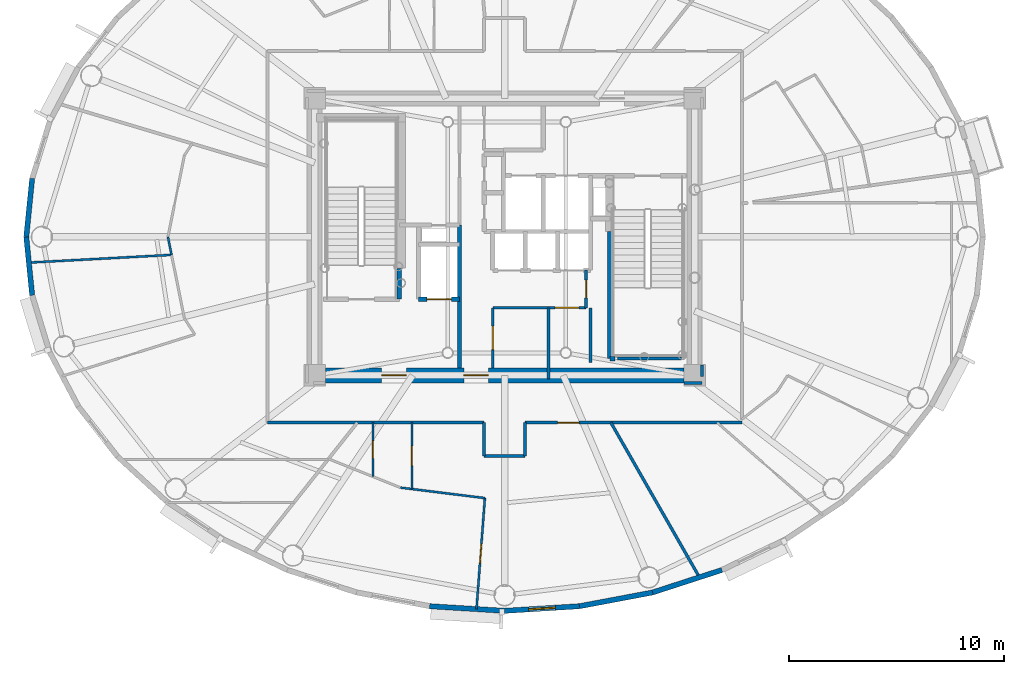
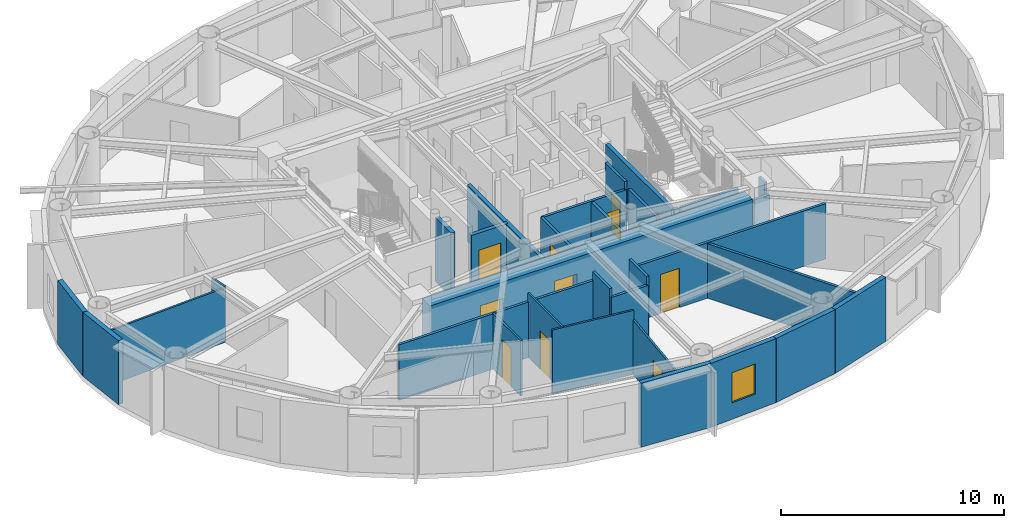
# One storey, part 6 of 17: 32 walls, 10 doors, 1 window, 11 openings.
"""IFC4 building model written with IfcOpenShell, lengths in metres."""

from ifc_helpers import new_model, si_unit, direction, frame, frame_2d, origin, origin_2d, place, context, subcontext, project, spatial, rectangle, extrude, source, transform, mapped, material, layer, layer_set, type_object, element, fill, save


model = new_model("IFC4")

# Units and contexts
model_context = context("Model", 3, precision=1e-05, world=origin(), true_north=direction((0.0, 1.0)))
body_context = subcontext(model_context, "Body", "Model", "MODEL_VIEW")
ifc_project = project(units=[si_unit("LENGTHUNIT", "METRE"), si_unit("AREAUNIT", "SQUARE_METRE"), si_unit("VOLUMEUNIT", "CUBIC_METRE"), si_unit("PLANEANGLEUNIT", "RADIAN"), si_unit("MASSUNIT", "GRAM", prefix="KILO")], contexts=[model_context])

# Site, building, storey
site_placement = place(None, origin())
site = spatial("IfcSite", under=ifc_project, at=site_placement, CompositionType="ELEMENT")
building_placement = place(site_placement, origin())
building = spatial("IfcBuilding", under=site, at=building_placement, Name="Linh Dai School and Residence Tower", CompositionType="ELEMENT")
storey_placement = place(building_placement, frame((0.0, 0.0, 280.5)))
storey = spatial("IfcBuildingStorey", under=building, at=storey_placement, Name="L69", CompositionType="ELEMENT", Elevation=280.5)

# Walls
ifc_material_1 = material(Name="Precast Concrete B45 (C35/45)", Category="concrete")
ifc_layer_1 = layer(ifc_material_1, 0.239990234375)
ifc_layer_set_1 = layer_set([ifc_layer_1], Name="Precast Concrete B45 (C35/45)")
wall_type_1 = type_object("IfcWallType", Name="EW-TC-240", PredefinedType="SOLIDWALL", material=ifc_layer_set_1)
for number, where, z_axis, x_axis, name in (
    (1, (13.72509765625, 27.0, 0.0), (0.0, 0.0, 1.0), (0.099972526841, 0.99499019788, 0.0), "L69 Terracotta Exterior Wall 20"),
    (2, (13.998291015625, 24.281005859375, 0.0), (0.0, 0.0, 1.0), (-0.099972526841, 0.99499019788, 0.0), "L69 Terracotta Exterior Wall 21"),
):
    element("IfcWall", number, at=place(storey_placement, frame(where, z_axis=z_axis, x_axis=x_axis)), inside=storey, type_object=wall_type_1, Name=name, PredefinedType="SOLIDWALL", context=body_context, shape_type="SweptSolid", body=[
        extrude(rectangle(XDim=2.732666015625, YDim=0.239990234375, at=frame_2d((1.3662109375, 0.0))), origin(), (0.0, 0.0, 1.0), 3.5),
    ])
wall_1_placement = place(storey_placement, frame((36.0, 9.5849609375, 0.0), z_axis=(0.0, 0.0, 1.0), x_axis=(-0.998104946479, 0.061534671648, 0.0)))
element("IfcWall", 3, at=wall_1_placement, inside=storey, type_object=wall_type_1, Name="L69 Terracotta Exterior Wall 30", PredefinedType="SOLIDWALL", context=body_context, shape_type="SweptSolid", body=[
    extrude(rectangle(XDim=3.495361328125, YDim=0.239990234375, at=frame_2d((1.74755859375, 0.0))), origin(), (0.0, 0.0, 1.0), 3.5),
])

# Wall, opening, window
wall_2_placement = place(storey_placement, frame((39.48876953125, 9.800048828125, 0.0), z_axis=(0.0, 0.0, 1.0), x_axis=(-0.998104946479, -0.061534671648, 0.0)))
wall_2 = element("IfcWall", 4, at=wall_2_placement, inside=storey, type_object=wall_type_1, Name="L69 Terracotta Exterior Wall 31", PredefinedType="SOLIDWALL", context=body_context, shape_type="SweptSolid", body=[
    extrude(rectangle(XDim=3.495361328125, YDim=0.239990234375, at=frame_2d((1.74755859375, 0.0))), origin(), (0.0, 0.0, 1.0), 3.5),
])
opening_1_placement = place(wall_2_placement, frame((1.122802734375, 0.0, 0.89990234375)))
opening_1 = element("IfcOpeningElement", 5, at=opening_1_placement, cuts=wall_2, Name="Opening W3", PredefinedType="OPENING", context=body_context, shape_type="SweptSolid", body=[
    extrude(rectangle(XDim=1.25, YDim=1.64990234375, at=origin_2d()), frame((0.625, 0.1298828125, 0.824951171875), z_axis=(0.0, -1.0, 0.0), x_axis=(1.0, 0.0, 0.0)), (0.0, 0.0, 1.0), 0.260009765625),
])
ifc_material_2 = material(Name="Double Low-E Insulated Glazing", Category="glass")
window_type = type_object("IfcWindowType", Name="WN-RES-1250x1650", PartitioningType="SINGLE_PANEL", PredefinedType="WINDOW", material=ifc_material_2)
shared_shape_1 = source(origin(), body_context, "Body", "SweptSolid", [
    extrude(rectangle(XDim=1.25, YDim=1.64990234375, at=origin_2d()), frame((0.625, 0.030029296875, 0.824951171875), z_axis=(0.0, -1.0, 0.0), x_axis=(1.0, 0.0, 0.0)), (0.0, 0.0, 1.0), 0.06005859375),
])
window_placement = place(opening_1_placement, origin())
window = element("IfcWindow", 6, at=window_placement, inside=storey, type_object=window_type, Name="L69 Dwelling Window U6905-LIV", OverallHeight=1.64990234375, OverallWidth=1.25, PartitioningType="SINGLE_PANEL", PredefinedType="WINDOW", context=body_context, shape_type="MappedRepresentation", body=[
    mapped(shared_shape_1, transform((0.0, 0.0, 0.0), x_axis=(1.0, 0.0, 0.0), y_axis=(0.0, 1.0, 0.0), z_axis=(0.0, 0.0, 1.0), scale=1.0)),
])
fill(opening_1, window)

# Walls
wall_3_placement = place(storey_placement, frame((42.89111328125, 10.439697265625, 0.0), z_axis=(0.0, 0.0, 1.0), x_axis=(-0.982782655757, -0.184765395959, 0.0)))
element("IfcWall", 7, at=wall_3_placement, inside=storey, type_object=wall_type_1, Name="L69 Terracotta Exterior Wall 32", PredefinedType="SOLIDWALL", context=body_context, shape_type="SweptSolid", body=[
    extrude(rectangle(XDim=3.4619140625, YDim=0.239990234375, at=frame_2d((1.73095703125, 0.0))), origin(), (0.0, 0.0, 1.0), 3.5),
])
wall_4_placement = place(storey_placement, frame((46.123046875, 11.48779296875, 0.0), z_axis=(0.0, 0.0, 1.0), x_axis=(-0.95123136723, -0.308478339592, 0.0)))
element("IfcWall", 8, at=wall_4_placement, inside=storey, type_object=wall_type_1, Name="L69 Terracotta Exterior Wall 33", PredefinedType="SOLIDWALL", context=body_context, shape_type="SweptSolid", body=[
    extrude(rectangle(XDim=3.397705078125, YDim=0.239990234375, at=frame_2d((1.69873046875, 0.0))), origin(), (0.0, 0.0, 1.0), 3.5),
])
ifc_material_3 = material(Name="Autoclaved Aerated Concrete Blockwork", Category="masonry")
ifc_layer_2 = layer(ifc_material_3, 0.135009765625)
ifc_layer_set_2 = layer_set([ifc_layer_2], Name="Autoclaved Aerated Concrete Blockwork")
wall_type_2 = type_object("IfcWallType", Name="IW-CORR-135-EI90", PredefinedType="PARTITIONING", material=ifc_layer_set_2)
wall_5_placement = place(storey_placement, frame((24.949951171875, 18.35009765625, 0.0), z_axis=(0.0, 0.0, 1.0), x_axis=(1.0, 0.0, 0.0)))
element("IfcWall", 9, at=wall_5_placement, inside=storey, type_object=wall_type_2, Name="L69 Interior Partition Wall 014", PredefinedType="PARTITIONING", context=body_context, shape_type="SweptSolid", body=[
    extrude(rectangle(XDim=10.10009765625, YDim=0.135009765625, at=frame_2d((5.050048828125, 0.0))), origin(), (0.0, 0.0, 1.0), 3.034912109375),
])
wall_6_placement = place(storey_placement, frame((35.050048828125, 16.800048828125, 0.0), z_axis=(0.0, 0.0, 1.0), x_axis=(0.0, 1.0, 0.0)))
element("IfcWall", 10, at=wall_6_placement, inside=storey, type_object=wall_type_2, Name="L69 Interior Partition Wall 035", PredefinedType="PARTITIONING", context=body_context, shape_type="SweptSolid", body=[
    extrude(rectangle(XDim=1.550048828125, YDim=0.135009765625, at=frame_2d((0.77490234375, 0.0))), origin(), (0.0, 0.0, 1.0), 3.5),
])
wall_7_placement = place(storey_placement, frame((35.050048828125, 16.800048828125, 0.0), z_axis=(0.0, 0.0, 1.0), x_axis=(1.0, 0.0, 0.0)))
element("IfcWall", 11, at=wall_7_placement, inside=storey, type_object=wall_type_2, Name="L69 Interior Partition Wall 036", PredefinedType="PARTITIONING", context=body_context, shape_type="SweptSolid", body=[
    extrude(rectangle(XDim=1.89990234375, YDim=0.135009765625, at=frame_2d((0.949951171875, 0.0))), origin(), (0.0, 0.0, 1.0), 3.034912109375),
])

# Wall, opening, door
wall_8_placement = place(storey_placement, frame((35.449951171875, 20.89990234375, 0.0), z_axis=(0.0, 0.0, 1.0), x_axis=(0.0, 1.0, 0.0)))
wall_8 = element("IfcWall", 12, at=wall_8_placement, inside=storey, type_object=wall_type_2, Name="L69 Interior Partition Wall 045", PredefinedType="PARTITIONING", context=body_context, shape_type="SweptSolid", body=[
    extrude(rectangle(XDim=2.800048828125, YDim=0.135009765625, at=frame_2d((1.39990234375, 0.0))), origin(), (0.0, 0.0, 1.0), 3.0849609375),
])
opening_2_placement = place(wall_8_placement, frame((0.85009765625, 0.0, 0.0)))
opening_2 = element("IfcOpeningElement", 13, at=opening_2_placement, cuts=wall_8, Name="Opening D07", PredefinedType="OPENING", context=body_context, shape_type="SweptSolid", body=[
    extrude(rectangle(XDim=1.10009765625, YDim=2.14990234375, at=origin_2d()), frame((0.550048828125, 0.07763671875, 1.074951171875), z_axis=(0.0, -1.0, 0.0), x_axis=(1.0, 0.0, 0.0)), (0.0, 0.0, 1.0), 0.155029296875),
])
ifc_material_4 = material(Name="Fire-Rated Louvred Steel Plant Door", Category="steel")
door_type_1 = type_object("IfcDoorType", Name="DR-PLT-1100x2150-FD60S", OperationType="NOTDEFINED", PredefinedType="DOOR", material=ifc_material_4)
shared_shape_2 = source(origin(), body_context, "Body", "SweptSolid", [
    extrude(rectangle(XDim=1.10009765625, YDim=2.14990234375, at=origin_2d()), frame((0.550048828125, 0.02490234375, 1.074951171875), z_axis=(0.0, -1.0, 0.0), x_axis=(1.0, 0.0, 0.0)), (0.0, 0.0, 1.0), 0.050048828125),
])
door_1_placement = place(opening_2_placement, origin())
door_1 = element("IfcDoor", 14, at=door_1_placement, inside=storey, type_object=door_type_1, Name="L69 Floor Electrical Switchroom Door", OperationType="SINGLE_SWING_LEFT", OverallHeight=2.14990234375, OverallWidth=1.10009765625, PredefinedType="DOOR", context=body_context, shape_type="MappedRepresentation", body=[
    mapped(shared_shape_2, transform((0.0, 0.0, 0.0), x_axis=(1.0, 0.0, 0.0), y_axis=(0.0, 1.0, 0.0), z_axis=(0.0, 0.0, 1.0), scale=1.0)),
])
fill(opening_2, door_1)

wall_9_placement = place(storey_placement, frame((35.449951171875, 23.699951171875, 0.0), z_axis=(0.0, 0.0, 1.0), x_axis=(1.0, 0.0, 0.0)))
wall_9 = element("IfcWall", 15, at=wall_9_placement, inside=storey, type_object=wall_type_2, Name="L69 Interior Partition Wall 046", PredefinedType="PARTITIONING", context=body_context, shape_type="SweptSolid", body=[
    extrude(rectangle(XDim=4.35009765625, YDim=0.135009765625, at=frame_2d((2.175048828125, 0.0))), origin(), (0.0, 0.0, 1.0), 3.0849609375),
])
opening_3_placement = place(wall_9_placement, frame((2.905029296875, 0.0, 0.0)))
opening_3 = element("IfcOpeningElement", 16, at=opening_3_placement, cuts=wall_9, Name="Opening D07", PredefinedType="OPENING", context=body_context, shape_type="SweptSolid", body=[
    extrude(rectangle(XDim=1.10009765625, YDim=2.14990234375, at=origin_2d()), frame((0.550048828125, 0.07763671875, 1.074951171875), z_axis=(0.0, -1.0, 0.0), x_axis=(1.0, 0.0, 0.0)), (0.0, 0.0, 1.0), 0.155029296875),
])
door_2_placement = place(opening_3_placement, origin())
door_2 = element("IfcDoor", 17, at=door_2_placement, inside=storey, type_object=door_type_1, Name="L69 Telecom Node Room Door", OperationType="SINGLE_SWING_RIGHT", OverallHeight=2.14990234375, OverallWidth=1.10009765625, PredefinedType="DOOR", context=body_context, shape_type="MappedRepresentation", body=[
    mapped(shared_shape_2, transform((0.0, 0.0, 0.0), x_axis=(1.0, 0.0, 0.0), y_axis=(0.0, 1.0, 0.0), z_axis=(0.0, 0.0, 1.0), scale=1.0)),
])
fill(opening_3, door_2)

# Wall
wall_10_placement = place(storey_placement, frame((36.949951171875, 16.800048828125, 0.0), z_axis=(0.0, 0.0, 1.0), x_axis=(0.0, 1.0, 0.0)))
element("IfcWall", 18, at=wall_10_placement, inside=storey, type_object=wall_type_2, Name="L69 Interior Partition Wall 054", PredefinedType="PARTITIONING", context=body_context, shape_type="SweptSolid", body=[
    extrude(rectangle(XDim=1.550048828125, YDim=0.135009765625, at=frame_2d((0.77490234375, 0.0))), origin(), (0.0, 0.0, 1.0), 3.5),
])

# Wall, opening, door
wall_11_placement = place(storey_placement, frame((36.949951171875, 18.35009765625, 0.0), z_axis=(0.0, 0.0, 1.0), x_axis=(1.0, 0.0, 0.0)))
wall_11 = element("IfcWall", 19, at=wall_11_placement, inside=storey, type_object=wall_type_2, Name="L69 Interior Partition Wall 055", PredefinedType="PARTITIONING", context=body_context, shape_type="SweptSolid", body=[
    extrude(rectangle(XDim=10.10009765625, YDim=0.135009765625, at=frame_2d((5.050048828125, 0.0))), origin(), (0.0, 0.0, 1.0), 3.034912109375),
])
opening_4_placement = place(wall_11_placement, frame((1.52099609375, 0.0, 0.0)))
opening_4 = element("IfcOpeningElement", 20, at=opening_4_placement, cuts=wall_11, Name="Opening D03", PredefinedType="OPENING", context=body_context, shape_type="SweptSolid", body=[
    extrude(rectangle(XDim=1.0, YDim=2.14990234375, at=origin_2d()), frame((0.5, 0.07763671875, 1.074951171875), z_axis=(0.0, -1.0, 0.0), x_axis=(1.0, 0.0, 0.0)), (0.0, 0.0, 1.0), 0.155029296875),
])
ifc_material_5 = material(Name="Fire-Rated Solid Timber Entrance Door", Category="wood")
door_type_2 = type_object("IfcDoorType", Name="DR-FLAT-1000x2150-FD60S", OperationType="NOTDEFINED", PredefinedType="DOOR", material=ifc_material_5)
shared_shape_3 = source(origin(), body_context, "Body", "SweptSolid", [
    extrude(rectangle(XDim=1.0, YDim=2.14990234375, at=origin_2d()), frame((0.5, 0.02490234375, 1.074951171875), z_axis=(0.0, -1.0, 0.0), x_axis=(1.0, 0.0, 0.0)), (0.0, 0.0, 1.0), 0.050048828125),
])
door_3_placement = place(opening_4_placement, origin())
door_3 = element("IfcDoor", 21, at=door_3_placement, inside=storey, type_object=door_type_2, Name="L69 U6905 Apartment Entrance Door", OperationType="SINGLE_SWING_RIGHT", OverallHeight=2.14990234375, OverallWidth=1.0, PredefinedType="DOOR", context=body_context, shape_type="MappedRepresentation", body=[
    mapped(shared_shape_3, transform((0.0, 0.0, 0.0), x_axis=(1.0, 0.0, 0.0), y_axis=(0.0, 1.0, 0.0), z_axis=(0.0, 0.0, 1.0), scale=1.0)),
])
fill(opening_4, door_3)

wall_12_placement = place(storey_placement, frame((39.800048828125, 23.699951171875, 0.0), z_axis=(0.0, 0.0, 1.0), x_axis=(0.0, 1.0, 0.0)))
wall_12 = element("IfcWall", 22, at=wall_12_placement, inside=storey, type_object=wall_type_2, Name="L69 Interior Partition Wall 066", PredefinedType="PARTITIONING", context=body_context, shape_type="SweptSolid", body=[
    extrude(rectangle(XDim=1.75, YDim=0.135009765625, at=frame_2d((0.875, 0.0))), origin(), (0.0, 0.0, 1.0), 3.5),
])
opening_5_placement = place(wall_12_placement, frame((0.465087890625, 0.0, 0.0)))
opening_5 = element("IfcOpeningElement", 23, at=opening_5_placement, cuts=wall_12, Name="Opening D06", PredefinedType="OPENING", context=body_context, shape_type="SweptSolid", body=[
    extrude(rectangle(XDim=0.820068359375, YDim=2.10009765625, at=origin_2d()), frame((0.41015625, 0.07763671875, 1.050048828125), z_axis=(0.0, -1.0, 0.0), x_axis=(1.0, 0.0, 0.0)), (0.0, 0.0, 1.0), 0.155029296875),
])
ifc_material_6 = material(Name="Moisture-Resistant Timber Bathroom Door", Category="wood")
door_type_3 = type_object("IfcDoorType", Name="DR-WET-820x2100", OperationType="NOTDEFINED", PredefinedType="DOOR", material=ifc_material_6)
shared_shape_4 = source(origin(), body_context, "Body", "SweptSolid", [
    extrude(rectangle(XDim=0.820068359375, YDim=2.10009765625, at=origin_2d()), frame((0.41015625, 0.02490234375, 1.050048828125), z_axis=(0.0, -1.0, 0.0), x_axis=(1.0, 0.0, 0.0)), (0.0, 0.0, 1.0), 0.050048828125),
])
door_4_placement = place(opening_5_placement, origin())
door_4 = element("IfcDoor", 24, at=door_4_placement, inside=storey, type_object=door_type_3, Name="L69 East Linen Store Door", OperationType="SINGLE_SWING_LEFT", OverallHeight=2.10009765625, OverallWidth=0.820068359375, PredefinedType="DOOR", context=body_context, shape_type="MappedRepresentation", body=[
    mapped(shared_shape_4, transform((0.0, 0.0, 0.0), x_axis=(1.0, 0.0, 0.0), y_axis=(0.0, 1.0, 0.0), z_axis=(0.0, 0.0, 1.0), scale=1.0)),
])
fill(opening_5, door_4)

# Walls
wall_13_placement = place(storey_placement, frame((40.951904296875, 18.35009765625, 0.0), z_axis=(0.0, 0.0, 1.0), x_axis=(0.496803688517, -0.867862947173, 0.0)))
element("IfcWall", 25, at=wall_13_placement, inside=storey, type_object=wall_type_2, Name="L69 Interior Partition Wall 071", PredefinedType="PARTITIONING", context=body_context, shape_type="SweptSolid", body=[
    extrude(rectangle(XDim=8.303955078125, YDim=0.135009765625, at=frame_2d((4.15185546875, 0.0))), origin(), (0.0, 0.0, 1.0), 2.985107421875),
])
wall_14_placement = place(storey_placement, frame((44.239990234375, 21.330078125, 0.0), z_axis=(0.0, 0.0, 1.0), x_axis=(-1.0, 0.0, 0.0)))
element("IfcWall", 26, at=wall_14_placement, inside=storey, type_object=wall_type_2, Name="L69 Interior Partition Wall 088", PredefinedType="PARTITIONING", context=body_context, shape_type="SweptSolid", body=[
    extrude(rectangle(XDim=2.97998046875, YDim=0.135009765625, at=frame_2d((1.489990234375, 0.0))), origin(), (0.0, 0.0, 1.0), 3.034912109375),
])
wall_15_placement = place(storey_placement, frame((40.0, 23.699951171875, 0.0), z_axis=(0.0, 0.0, 1.0), x_axis=(0.0, -1.0, 0.0)))
element("IfcWall", 27, at=wall_15_placement, inside=storey, type_object=wall_type_2, Name="L69 Interior Partition Wall 089", PredefinedType="PARTITIONING", context=body_context, shape_type="SweptSolid", body=[
    extrude(rectangle(XDim=2.5400390625, YDim=0.135009765625, at=frame_2d((1.27001953125, 0.0))), origin(), (0.0, 0.0, 1.0), 3.034912109375),
])
wall_16_placement = place(storey_placement, frame((44.360107421875, 20.199951171875, 0.0), z_axis=(0.0, 0.0, 1.0), x_axis=(1.0, 0.0, 0.0)))
element("IfcWall", 28, at=wall_16_placement, inside=storey, type_object=wall_type_2, Name="L69 Interior Partition Wall 095", PredefinedType="PARTITIONING", context=body_context, shape_type="SweptSolid", body=[
    extrude(rectangle(XDim=0.83984375, YDim=0.135009765625, at=frame_2d((0.419921875, 0.0))), origin(), (0.0, 0.0, 1.0), 3.034912109375),
])
wall_17_placement = place(storey_placement, frame((45.199951171875, 20.507568359375, 0.0), z_axis=(0.0, 0.0, 1.0), x_axis=(0.0, 1.0, 0.0)))
element("IfcWall", 29, at=wall_17_placement, inside=storey, type_object=wall_type_2, Name="L69 Interior Partition Wall 096", PredefinedType="PARTITIONING", context=body_context, shape_type="SweptSolid", body=[
    extrude(rectangle(XDim=0.532470703125, YDim=0.135009765625, at=frame_2d((0.26611328125, 0.0))), origin(), (0.0, 0.0, 1.0), 3.5),
])
ifc_layer_3 = layer(ifc_material_3, 0.14990234375)
ifc_layer_set_3 = layer_set([ifc_layer_3], Name="Autoclaved Aerated Concrete Blockwork")
wall_type_3 = type_object("IfcWallType", Name="IW-SCH-150-EI60", PredefinedType="PARTITIONING", material=ifc_layer_set_3)
wall_18_placement = place(storey_placement, frame((38.050048828125, 20.3798828125, 0.0), z_axis=(0.0, 0.0, 1.0), x_axis=(0.0, 1.0, 0.0)))
element("IfcWall", 30, at=wall_18_placement, inside=storey, type_object=wall_type_3, Name="L69 Interior Partition Wall 061", PredefinedType="PARTITIONING", context=body_context, shape_type="SweptSolid", body=[
    extrude(rectangle(XDim=3.320068359375, YDim=0.14990234375, at=frame_2d((1.66015625, 0.0))), origin(), (0.0, 0.0, 1.0), 3.034912109375),
])
ifc_material_7 = material(Name="Concrete B45 (C35/45)", Category="concrete")
ifc_layer_4 = layer(ifc_material_7, 0.199951171875)
ifc_layer_set_4 = layer_set([ifc_layer_4], Name="Concrete B45 (C35/45)")
wall_type_4 = type_object("IfcWallType", Name="IW-SHAFT-200-EI120", PredefinedType="PARTITIONING", material=ifc_layer_set_4)
wall_19_placement = place(storey_placement, frame((31.10009765625, 24.10009765625, 0.0), z_axis=(0.0, 0.0, 1.0), x_axis=(0.0, 1.0, 0.0)))
element("IfcWall", 31, at=wall_19_placement, inside=storey, type_object=wall_type_4, Name="L69 Interior Partition Wall 021", PredefinedType="PARTITIONING", context=body_context, shape_type="SweptSolid", body=[
    extrude(rectangle(XDim=1.43994140625, YDim=0.199951171875, at=frame_2d((0.719970703125, 0.0))), origin(), (0.0, 0.0, 1.0), 3.5),
])

# Wall, opening, door
wall_20_placement = place(storey_placement, frame((32.0, 24.10009765625, 0.0), z_axis=(0.0, 0.0, 1.0), x_axis=(1.0, 0.0, 0.0)))
wall_20 = element("IfcWall", 32, at=wall_20_placement, inside=storey, type_object=wall_type_4, Name="L69 Interior Partition Wall 027", PredefinedType="PARTITIONING", context=body_context, shape_type="SweptSolid", body=[
    extrude(rectangle(XDim=1.89990234375, YDim=0.199951171875, at=frame_2d((0.949951171875, 0.0))), origin(), (0.0, 0.0, 1.0), 3.0849609375),
])
opening_6_placement = place(wall_20_placement, frame((0.375, 0.0, 0.0)))
opening_6 = element("IfcOpeningElement", 33, at=opening_6_placement, cuts=wall_20, Name="Opening LD-FF2", PredefinedType="OPENING", context=body_context, shape_type="SweptSolid", body=[
    extrude(rectangle(XDim=1.14990234375, YDim=2.14990234375, at=origin_2d()), frame((0.574951171875, 0.10986328125, 1.074951171875), z_axis=(0.0, -1.0, 0.0), x_axis=(1.0, 0.0, 0.0)), (0.0, 0.0, 1.0), 0.219970703125),
])
ifc_material_8 = material(Name="Fire-Rated Stainless Steel Firefighting Lift Door", Category="steel")
door_type_4 = type_object("IfcDoorType", Name="DR-LD-FF-1150x2150-FD120", OperationType="DOUBLE_DOOR_SLIDING", PredefinedType="USERDEFINED", material=ifc_material_8)
shared_shape_5 = source(origin(), body_context, "Body", "SweptSolid", [
    extrude(rectangle(XDim=1.14990234375, YDim=2.14990234375, at=origin_2d()), frame((0.574951171875, 0.02490234375, 1.074951171875), z_axis=(0.0, -1.0, 0.0), x_axis=(1.0, 0.0, 0.0)), (0.0, 0.0, 1.0), 0.050048828125),
])
door_5_placement = place(opening_6_placement, origin())
door_5 = element("IfcDoor", 34, at=door_5_placement, inside=storey, type_object=door_type_4, Name="L69 Lift FF2 Sliding Landing Door", ObjectType="LANDING DOOR", OperationType="DOUBLE_DOOR_SLIDING", OverallHeight=2.14990234375, OverallWidth=1.14990234375, PredefinedType="USERDEFINED", context=body_context, shape_type="MappedRepresentation", body=[
    mapped(shared_shape_5, transform((0.0, 0.0, 0.0), x_axis=(1.0, 0.0, 0.0), y_axis=(0.0, 1.0, 0.0), z_axis=(0.0, 0.0, 1.0), scale=1.0)),
])
fill(opening_6, door_5)

# Walls
wall_21_placement = place(storey_placement, frame((33.89990234375, 20.89990234375, 0.0), z_axis=(0.0, 0.0, 1.0), x_axis=(0.0, 1.0, 0.0)))
element("IfcWall", 35, at=wall_21_placement, inside=storey, type_object=wall_type_4, Name="L69 Interior Partition Wall 030", PredefinedType="PARTITIONING", context=body_context, shape_type="SweptSolid", body=[
    extrude(rectangle(XDim=6.650146484375, YDim=0.199951171875, at=frame_2d((3.3251953125, 0.0))), origin(), (0.0, 0.0, 1.0), 3.0849609375),
])
wall_22_placement = place(storey_placement, frame((40.89990234375, 21.330078125, 0.0), z_axis=(0.0, 0.0, 1.0), x_axis=(0.0, 1.0, 0.0)))
element("IfcWall", 36, at=wall_22_placement, inside=storey, type_object=wall_type_4, Name="L69 Interior Partition Wall 069", PredefinedType="PARTITIONING", context=body_context, shape_type="SweptSolid", body=[
    extrude(rectangle(XDim=5.909912109375, YDim=0.199951171875, at=frame_2d((2.955078125, 0.0))), origin(), (0.0, 0.0, 1.0), 3.034912109375),
])
wall_23_placement = place(storey_placement, frame((40.89990234375, 21.330078125, 0.0), z_axis=(0.0, 0.0, 1.0), x_axis=(1.0, 0.0, 0.0)))
element("IfcWall", 37, at=wall_23_placement, inside=storey, type_object=wall_type_4, Name="L69 Interior Partition Wall 070", PredefinedType="PARTITIONING", context=body_context, shape_type="SweptSolid", body=[
    extrude(rectangle(XDim=0.25, YDim=0.199951171875, at=frame_2d((0.125, 0.0))), origin(), (0.0, 0.0, 1.0), 3.034912109375),
])
ifc_material_9 = material(Name="Gypsum Plasterboard Acoustic Stud Partition", Category="masonry")
ifc_layer_5 = layer(ifc_material_9, 0.10009765625)
ifc_layer_set_5 = layer_set([ifc_layer_5], Name="Gypsum Plasterboard Acoustic Stud Partition")
wall_type_5 = type_object("IfcWallType", Name="IW-UNIT-100", PredefinedType="PARTITIONING", material=ifc_layer_set_5)
wall_24_placement = place(storey_placement, frame((13.84033203125, 25.802490234375, 0.0), z_axis=(0.0, 0.0, 1.0), x_axis=(0.998542593702, 0.05396932983, 0.0)))
element("IfcWall", 38, at=wall_24_placement, inside=storey, type_object=wall_type_5, Name="L69 Interior Partition Wall 001", PredefinedType="PARTITIONING", context=body_context, shape_type="SweptSolid", body=[
    extrude(rectangle(XDim=6.658935546875, YDim=0.10009765625, at=frame_2d((3.32958984375, 0.0))), origin(), (0.0, 0.0, 1.0), 2.985107421875),
])
wall_25_placement = place(storey_placement, frame((20.320068359375, 27.0, 0.0), z_axis=(0.0, 0.0, 1.0), x_axis=(0.198147261764, -0.980172261725, 0.0)))
element("IfcWall", 39, at=wall_25_placement, inside=storey, type_object=wall_type_5, Name="L69 Interior Partition Wall 005", PredefinedType="PARTITIONING", context=body_context, shape_type="SweptSolid", body=[
    extrude(rectangle(XDim=0.85498046875, YDim=0.10009765625, at=frame_2d((0.427490234375, 0.0))), origin(), (0.0, 0.0, 1.0), 3.034912109375),
])

# Wall, opening, door
wall_26_placement = place(storey_placement, frame((29.864990234375, 15.83740234375, 0.0), z_axis=(0.0, 0.0, 1.0), x_axis=(0.0, 1.0, 0.0)))
wall_26 = element("IfcWall", 40, at=wall_26_placement, inside=storey, type_object=wall_type_5, Name="L69 Interior Partition Wall 019", PredefinedType="PARTITIONING", context=body_context, shape_type="SweptSolid", body=[
    extrude(rectangle(XDim=2.5126953125, YDim=0.10009765625, at=frame_2d((1.25634765625, 0.0))), origin(), (0.0, 0.0, 1.0), 3.034912109375),
])
opening_7_placement = place(wall_26_placement, frame((0.84619140625, 0.0, 0.0)))
opening_7 = element("IfcOpeningElement", 41, at=opening_7_placement, cuts=wall_26, Name="Opening D06", PredefinedType="OPENING", context=body_context, shape_type="SweptSolid", body=[
    extrude(rectangle(XDim=0.820068359375, YDim=2.10009765625, at=origin_2d()), frame((0.41015625, 0.06005859375, 1.050048828125), z_axis=(0.0, -1.0, 0.0), x_axis=(1.0, 0.0, 0.0)), (0.0, 0.0, 1.0), 0.1201171875),
])
door_6_placement = place(opening_7_placement, origin())
door_6 = element("IfcDoor", 42, at=door_6_placement, inside=storey, type_object=door_type_3, Name="L69 Apartment U6905 Bathroom 1 Door", OperationType="SINGLE_SWING_LEFT", OverallHeight=2.10009765625, OverallWidth=0.820068359375, PredefinedType="DOOR", context=body_context, shape_type="MappedRepresentation", body=[
    mapped(shared_shape_4, transform((0.0, 0.0, 0.0), x_axis=(1.0, 0.0, 0.0), y_axis=(0.0, 1.0, 0.0), z_axis=(0.0, 0.0, 1.0), scale=1.0)),
])
fill(opening_7, door_6)

# Wall
wall_27_placement = place(storey_placement, frame((31.154541015625, 15.322998046875, 0.0), z_axis=(0.0, 0.0, 1.0), x_axis=(0.992397939869, -0.123070422704, 0.0)))
element("IfcWall", 43, at=wall_27_placement, inside=storey, type_object=wall_type_5, Name="L69 Interior Partition Wall 023", PredefinedType="PARTITIONING", context=body_context, shape_type="SweptSolid", body=[
    extrude(rectangle(XDim=3.95751953125, YDim=0.10009765625, at=frame_2d((1.978759765625, 0.0))), origin(), (0.0, 0.0, 1.0), 3.5),
])

# Wall, opening, door
wall_28_placement = place(storey_placement, frame((31.6826171875, 15.257568359375, 0.0), z_axis=(0.0, 0.0, 1.0), x_axis=(0.0, 1.0, 0.0)))
wall_28 = element("IfcWall", 44, at=wall_28_placement, inside=storey, type_object=wall_type_5, Name="L69 Interior Partition Wall 025", PredefinedType="PARTITIONING", context=body_context, shape_type="SweptSolid", body=[
    extrude(rectangle(XDim=3.092529296875, YDim=0.10009765625, at=frame_2d((1.54638671875, 0.0))), origin(), (0.0, 0.0, 1.0), 3.5),
])
opening_8_placement = place(wall_28_placement, frame((1.09619140625, 0.0, 0.0)))
opening_8 = element("IfcOpeningElement", 45, at=opening_8_placement, cuts=wall_28, Name="Opening D05", PredefinedType="OPENING", context=body_context, shape_type="SweptSolid", body=[
    extrude(rectangle(XDim=0.89990234375, YDim=2.10009765625, at=origin_2d()), frame((0.449951171875, 0.06005859375, 1.050048828125), z_axis=(0.0, -1.0, 0.0), x_axis=(1.0, 0.0, 0.0)), (0.0, 0.0, 1.0), 0.1201171875),
])
ifc_material_10 = material(Name="Engineered Timber Internal Door", Category="wood")
door_type_5 = type_object("IfcDoorType", Name="DR-INT-900x2100", OperationType="NOTDEFINED", PredefinedType="DOOR", material=ifc_material_10)
shared_shape_6 = source(origin(), body_context, "Body", "SweptSolid", [
    extrude(rectangle(XDim=0.89990234375, YDim=2.10009765625, at=origin_2d()), frame((0.449951171875, 0.02490234375, 1.050048828125), z_axis=(0.0, -1.0, 0.0), x_axis=(1.0, 0.0, 0.0)), (0.0, 0.0, 1.0), 0.050048828125),
])
door_7_placement = place(opening_8_placement, origin())
door_7 = element("IfcDoor", 46, at=door_7_placement, inside=storey, type_object=door_type_5, Name="L69 Apartment U6905 Kitchen Door", OperationType="SINGLE_SWING_RIGHT", OverallHeight=2.10009765625, OverallWidth=0.89990234375, PredefinedType="DOOR", context=body_context, shape_type="MappedRepresentation", body=[
    mapped(shared_shape_6, transform((0.0, 0.0, 0.0), x_axis=(1.0, 0.0, 0.0), y_axis=(0.0, 1.0, 0.0), z_axis=(0.0, 0.0, 1.0), scale=1.0)),
])
fill(opening_8, door_7)

wall_29_placement = place(storey_placement, frame((34.69140625, 9.66064453125, 0.0), z_axis=(0.0, 0.0, 1.0), x_axis=(0.0752647297, 0.997163587614, 0.0)))
wall_29 = element("IfcWall", 47, at=wall_29_placement, inside=storey, type_object=wall_type_5, Name="L69 Interior Partition Wall 033", PredefinedType="PARTITIONING", context=body_context, shape_type="SweptSolid", body=[
    extrude(rectangle(XDim=5.18994140625, YDim=0.10009765625, at=frame_2d((2.594970703125, 0.0))), origin(), (0.0, 0.0, 1.0), 2.985107421875),
])
opening_9_placement = place(wall_29_placement, frame((2.14501953125, 0.0, 0.0)))
opening_9 = element("IfcOpeningElement", 48, at=opening_9_placement, cuts=wall_29, Name="Opening D05", PredefinedType="OPENING", context=body_context, shape_type="SweptSolid", body=[
    extrude(rectangle(XDim=0.89990234375, YDim=2.10009765625, at=origin_2d()), frame((0.449951171875, 0.06005859375, 1.050048828125), z_axis=(0.0, -1.0, 0.0), x_axis=(1.0, 0.0, 0.0)), (0.0, 0.0, 1.0), 0.1201171875),
])
door_8_placement = place(opening_9_placement, origin())
door_8 = element("IfcDoor", 49, at=door_8_placement, inside=storey, type_object=door_type_5, Name="L69 Apartment U6905 Principal Bedroom 1 Door", OperationType="SINGLE_SWING_LEFT", OverallHeight=2.10009765625, OverallWidth=0.89990234375, PredefinedType="DOOR", context=body_context, shape_type="MappedRepresentation", body=[
    mapped(shared_shape_6, transform((0.0, 0.0, 0.0), x_axis=(1.0, 0.0, 0.0), y_axis=(0.0, 1.0, 0.0), z_axis=(0.0, 0.0, 1.0), scale=1.0)),
])
fill(opening_9, door_8)

# Wall, openings, doors
ifc_layer_6 = layer(ifc_material_7, 0.699951171875)
ifc_layer_set_6 = layer_set([ifc_layer_6], Name="Concrete B45 (C35/45)")
wall_type_6 = type_object("IfcWallType", Name="WL-CORE700", PredefinedType="SHEAR", material=ifc_layer_set_6)
wall_30_placement = place(storey_placement, frame((44.35009765625, 20.550048828125, 0.0), z_axis=(0.0, 0.0, 1.0), x_axis=(-1.0, 0.0, 0.0)))
wall_30 = element("IfcWall", 50, at=wall_30_placement, inside=storey, type_object=wall_type_6, Name="L69 Central Core Shear Wall S", PredefinedType="SHEAR", context=body_context, shape_type="SweptSolid", body=[
    extrude(rectangle(XDim=16.7001953125, YDim=0.699951171875, at=frame_2d((8.35009765625, 0.0))), origin(), (0.0, 0.0, 1.0), 3.050048828125),
])
opening_10_placement = place(wall_30_placement, frame((12.925048828125, 0.0, 0.0)))
opening_10 = element("IfcOpeningElement", 51, at=opening_10_placement, cuts=wall_30, Name="Opening D02", PredefinedType="OPENING", context=body_context, shape_type="SweptSolid", body=[
    extrude(rectangle(XDim=1.14990234375, YDim=2.14990234375, at=origin_2d()), frame((0.574951171875, 0.35986328125, 1.074951171875), z_axis=(0.0, -1.0, 0.0), x_axis=(1.0, 0.0, 0.0)), (0.0, 0.0, 1.0), 0.719970703125),
])
opening_11_placement = place(wall_30_placement, frame((9.10009765625, 0.0, 0.0)))
opening_11 = element("IfcOpeningElement", 52, at=opening_11_placement, cuts=wall_30, Name="Opening D02", PredefinedType="OPENING", context=body_context, shape_type="SweptSolid", body=[
    extrude(rectangle(XDim=1.14990234375, YDim=2.14990234375, at=origin_2d()), frame((0.574951171875, 0.35986328125, 1.074951171875), z_axis=(0.0, -1.0, 0.0), x_axis=(1.0, 0.0, 0.0)), (0.0, 0.0, 1.0), 0.719970703125),
])
ifc_material_11 = material(Name="Fire-Rated Glazed Steel Lobby Door", Category="steel")
door_type_6 = type_object("IfcDoorType", Name="DR-LOBBY-1150x2150-FD90S", OperationType="NOTDEFINED", PredefinedType="DOOR", material=ifc_material_11)
shared_shape_7 = source(origin(), body_context, "Body", "SweptSolid", [
    extrude(rectangle(XDim=1.14990234375, YDim=2.14990234375, at=origin_2d()), frame((0.574951171875, 0.02490234375, 1.074951171875), z_axis=(0.0, -1.0, 0.0), x_axis=(1.0, 0.0, 0.0)), (0.0, 0.0, 1.0), 0.050048828125),
])
door_9_placement = place(opening_10_placement, origin())
door_9 = element("IfcDoor", 53, at=door_9_placement, inside=storey, type_object=door_type_6, Name="L69 Firefighting Lobby Door", OperationType="SINGLE_SWING_RIGHT", OverallHeight=2.14990234375, OverallWidth=1.14990234375, PredefinedType="DOOR", context=body_context, shape_type="MappedRepresentation", body=[
    mapped(shared_shape_7, transform((0.0, 0.0, 0.0), x_axis=(1.0, 0.0, 0.0), y_axis=(0.0, 1.0, 0.0), z_axis=(0.0, 0.0, 1.0), scale=1.0)),
])
fill(opening_10, door_9)
door_10_placement = place(opening_11_placement, origin())
door_10 = element("IfcDoor", 54, at=door_10_placement, inside=storey, type_object=door_type_6, Name="L69 Passenger Foyer Access Door", OperationType="SINGLE_SWING_RIGHT", OverallHeight=2.14990234375, OverallWidth=1.14990234375, PredefinedType="DOOR", context=body_context, shape_type="MappedRepresentation", body=[
    mapped(shared_shape_7, transform((0.0, 0.0, 0.0), x_axis=(1.0, 0.0, 0.0), y_axis=(0.0, 1.0, 0.0), z_axis=(0.0, 0.0, 1.0), scale=1.0)),
])
fill(opening_11, door_10)

save(model, "model.ifc")
